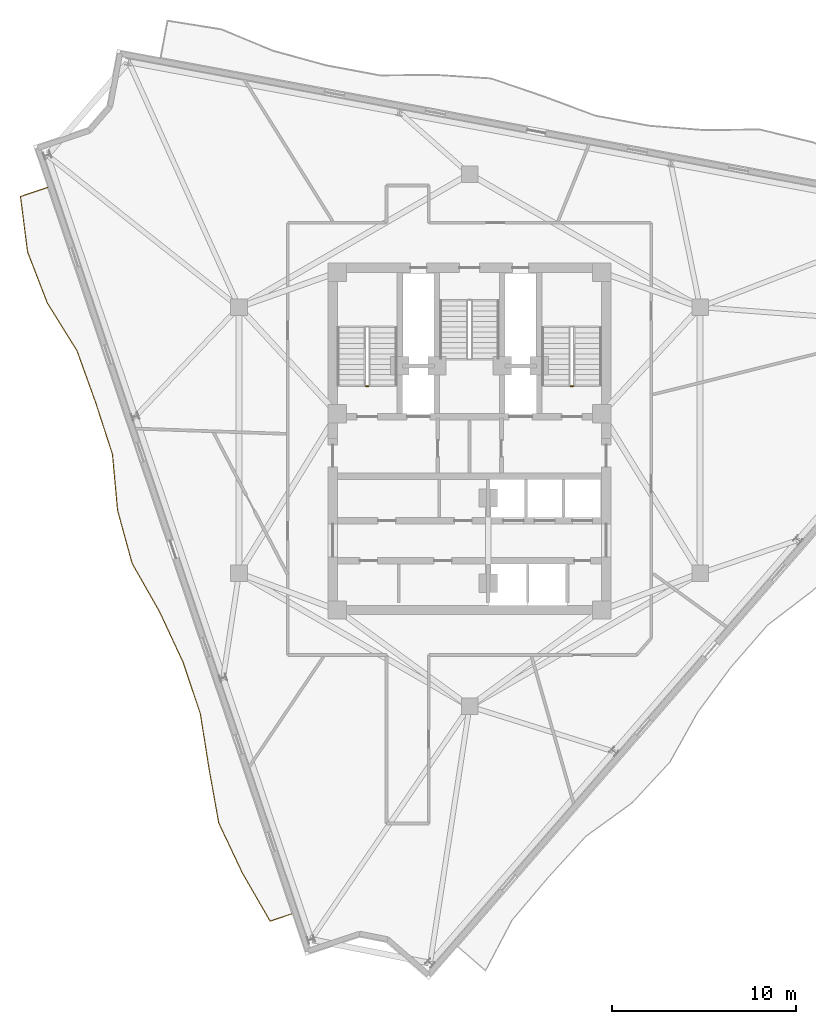
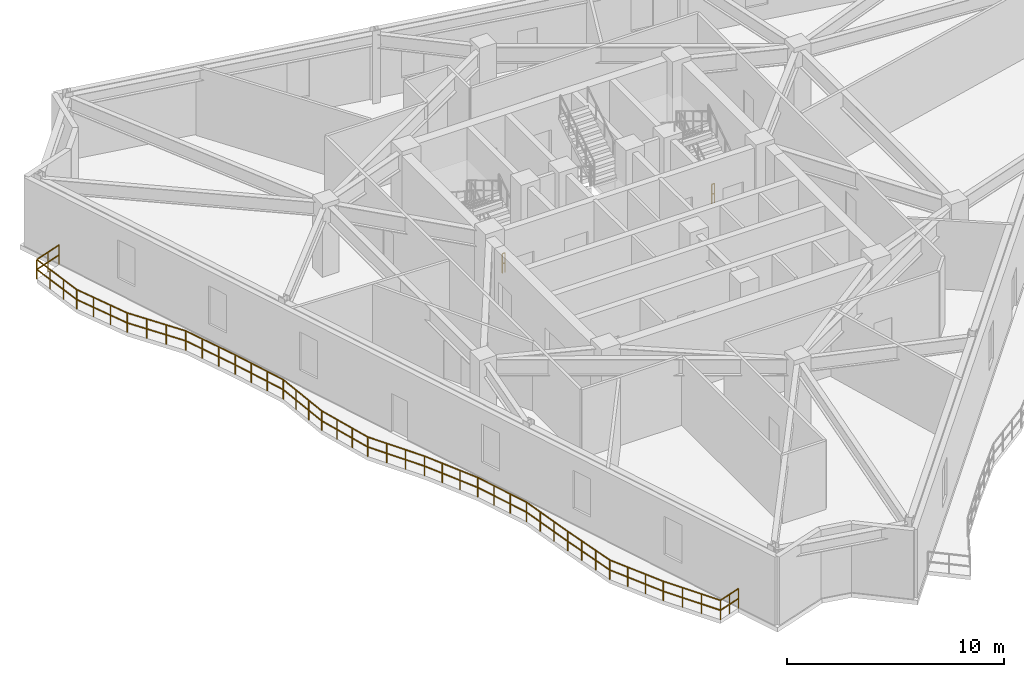
# One storey, part 7 of 9: 3 railings.
"""IFC4 building model written with IfcOpenShell, lengths in metres."""

from ifc_helpers import new_model, si_unit, direction, frame, origin, origin_2d, place, context, subcontext, project, spatial, rectangle, extrude, material, type_object, element, save


model = new_model("IFC4")

# Units and contexts
model_context = context("Model", 3, precision=1e-05, world=origin(), true_north=direction((0.0, 1.0)))
body_context = subcontext(model_context, "Body", "Model", "MODEL_VIEW")
ifc_project = project(units=[si_unit("LENGTHUNIT", "METRE"), si_unit("AREAUNIT", "SQUARE_METRE"), si_unit("VOLUMEUNIT", "CUBIC_METRE"), si_unit("PLANEANGLEUNIT", "RADIAN"), si_unit("MASSUNIT", "GRAM", prefix="KILO")], contexts=[model_context])

# Site, building, storey
site_placement = place(None, origin())
site = spatial("IfcSite", under=ifc_project, at=site_placement, CompositionType="ELEMENT")
building_placement = place(site_placement, origin())
building = spatial("IfcBuilding", under=site, at=building_placement, Name="Apsidion Concourse Tower", CompositionType="ELEMENT")
storey_placement = place(building_placement, frame((0.0, 0.0, 273.699951171875)))
storey = spatial("IfcBuildingStorey", under=building, at=storey_placement, Name="L64", CompositionType="ELEMENT", Elevation=273.699951171875)

# Railings
ifc_material = material(Name="Brushed stainless steel 316", Category="steel")
railing_type_1 = type_object("IfcRailingType", Name="RL-BAL-1120", PredefinedType="BALUSTRADE", material=ifc_material)
railing_placement = place(storey_placement, frame((-9.681396484375, -25.806884765625, 0.0)))
element("IfcRailing", 1, at=railing_placement, inside=storey, type_object=railing_type_1, Name="L64 Face 1 Rippling Balcony Balustrade", PredefinedType="BALUSTRADE", context=body_context, shape_type="SweptSolid", body=[
    extrude(rectangle(XDim=0.048095703125, YDim=0.048095703125, at=origin_2d()), frame((0.0, 0.0, 1.09619140625), z_axis=(-0.947840118805, -0.318746151636, 0.0), x_axis=(0.318746151636, -0.947840118805, 0.0)), (0.0, 0.0, 1.0), 1.25),
    extrude(rectangle(XDim=0.048095703125, YDim=0.048095703125, at=origin_2d()), frame((0.0, 0.0, 0.5361328125), z_axis=(-0.947840118805, -0.318746151636, 0.0), x_axis=(0.318746151636, -0.947840118805, 0.0)), (0.0, 0.0, 1.0), 1.25),
    extrude(rectangle(XDim=0.048095703125, YDim=0.048095703125, at=origin_2d()), frame((-1.184814453125, -0.3984375, 1.09619140625), z_axis=(-0.499479316425, 0.866325811958, 0.0), x_axis=(-0.866325811958, -0.499479316425, 0.0)), (0.0, 0.0, 1.0), 3.042724609375),
    extrude(rectangle(XDim=0.048095703125, YDim=0.048095703125, at=origin_2d()), frame((-1.184814453125, -0.3984375, 0.5361328125), z_axis=(-0.499479316425, 0.866325811958, 0.0), x_axis=(-0.866325811958, -0.499479316425, 0.0)), (0.0, 0.0, 1.0), 3.042724609375),
    extrude(rectangle(XDim=0.048095703125, YDim=0.048095703125, at=origin_2d()), frame((-2.70458984375, 2.237548828125, 1.09619140625), z_axis=(-0.426611147948, 0.904435143306, 0.0), x_axis=(-0.904435143306, -0.426611147948, 0.0)), (0.0, 0.0, 1.0), 3.00341796875),
    extrude(rectangle(XDim=0.048095703125, YDim=0.048095703125, at=origin_2d()), frame((-2.70458984375, 2.237548828125, 0.5361328125), z_axis=(-0.426611147948, 0.904435143306, 0.0), x_axis=(-0.904435143306, -0.426611147948, 0.0)), (0.0, 0.0, 1.0), 3.00341796875),
    extrude(rectangle(XDim=0.048095703125, YDim=0.048095703125, at=origin_2d()), frame((-3.98583984375, 4.953857421875, 1.09619140625), z_axis=(-0.175913919955, 0.984405552994, 0.0), x_axis=(-0.984405552994, -0.175913919955, 0.0)), (0.0, 0.0, 1.0), 3.015869140625),
    extrude(rectangle(XDim=0.048095703125, YDim=0.048095703125, at=origin_2d()), frame((-3.98583984375, 4.953857421875, 0.5361328125), z_axis=(-0.175913919955, 0.984405552994, 0.0), x_axis=(-0.984405552994, -0.175913919955, 0.0)), (0.0, 0.0, 1.0), 3.015869140625),
    extrude(rectangle(XDim=0.048095703125, YDim=0.048095703125, at=origin_2d()), frame((-4.516357421875, 7.922607421875, 1.09619140625), z_axis=(-0.156555134289, 0.987669220907, 0.0), x_axis=(-0.987669220907, -0.156555134289, 0.0)), (0.0, 0.0, 1.0), 3.025390625),
    extrude(rectangle(XDim=0.048095703125, YDim=0.048095703125, at=origin_2d()), frame((-4.516357421875, 7.922607421875, 0.5361328125), z_axis=(-0.156555134289, 0.987669220907, 0.0), x_axis=(-0.987669220907, -0.156555134289, 0.0)), (0.0, 0.0, 1.0), 3.025390625),
    extrude(rectangle(XDim=0.048095703125, YDim=0.048095703125, at=origin_2d()), frame((-4.989990234375, 10.91064453125, 1.09619140625), z_axis=(-0.318878393992, 0.947795637173, 0.0), x_axis=(-0.947795637173, -0.318878393992, 0.0)), (0.0, 0.0, 1.0), 2.98291015625),
    extrude(rectangle(XDim=0.048095703125, YDim=0.048095703125, at=origin_2d()), frame((-4.989990234375, 10.91064453125, 0.5361328125), z_axis=(-0.318878393992, 0.947795637173, 0.0), x_axis=(-0.947795637173, -0.318878393992, 0.0)), (0.0, 0.0, 1.0), 2.98291015625),
    extrude(rectangle(XDim=0.048095703125, YDim=0.048095703125, at=origin_2d()), frame((-5.941162109375, 13.73779296875, 1.09619140625), z_axis=(-0.422582686143, 0.90632437536, 0.0), x_axis=(-0.90632437536, -0.422582686143, 0.0)), (0.0, 0.0, 1.0), 3.001953125),
    extrude(rectangle(XDim=0.048095703125, YDim=0.048095703125, at=origin_2d()), frame((-5.941162109375, 13.73779296875, 0.5361328125), z_axis=(-0.422582686143, 0.90632437536, 0.0), x_axis=(-0.90632437536, -0.422582686143, 0.0)), (0.0, 0.0, 1.0), 3.001953125),
    extrude(rectangle(XDim=0.048095703125, YDim=0.048095703125, at=origin_2d()), frame((-7.209716796875, 16.45849609375, 1.09619140625), z_axis=(-0.493055147781, 0.869998058185, 0.0), x_axis=(-0.869998058185, -0.493055147781, 0.0)), (0.0, 0.0, 1.0), 3.038330078125),
    extrude(rectangle(XDim=0.048095703125, YDim=0.048095703125, at=origin_2d()), frame((-7.209716796875, 16.45849609375, 0.5361328125), z_axis=(-0.493055147781, 0.869998058185, 0.0), x_axis=(-0.869998058185, -0.493055147781, 0.0)), (0.0, 0.0, 1.0), 3.038330078125),
    extrude(rectangle(XDim=0.048095703125, YDim=0.048095703125, at=origin_2d()), frame((-8.707763671875, 19.101806640625, 1.09619140625), z_axis=(-0.264237229305, 0.964457716362, 0.0), x_axis=(-0.964457716362, -0.264237229305, 0.0)), (0.0, 0.0, 1.0), 2.988037109375),
    extrude(rectangle(XDim=0.048095703125, YDim=0.048095703125, at=origin_2d()), frame((-8.707763671875, 19.101806640625, 0.5361328125), z_axis=(-0.264237229305, 0.964457716362, 0.0), x_axis=(-0.964457716362, -0.264237229305, 0.0)), (0.0, 0.0, 1.0), 2.988037109375),
    extrude(rectangle(XDim=0.048095703125, YDim=0.048095703125, at=origin_2d()), frame((-9.497314453125, 21.983642578125, 1.09619140625), z_axis=(-0.090930595594, 0.99585723213, 0.0), x_axis=(-0.99585723213, -0.090930595594, 0.0)), (0.0, 0.0, 1.0), 3.066162109375),
    extrude(rectangle(XDim=0.048095703125, YDim=0.048095703125, at=origin_2d()), frame((-9.497314453125, 21.983642578125, 0.5361328125), z_axis=(-0.090930595594, 0.99585723213, 0.0), x_axis=(-0.99585723213, -0.090930595594, 0.0)), (0.0, 0.0, 1.0), 3.066162109375),
    extrude(rectangle(XDim=0.048095703125, YDim=0.048095703125, at=origin_2d()), frame((-9.776123046875, 25.037109375, 1.09619140625), z_axis=(-0.308876945525, 0.951102009525, 0.0), x_axis=(-0.951102009525, -0.308876945525, 0.0)), (0.0, 0.0, 1.0), 2.98291015625),
    extrude(rectangle(XDim=0.048095703125, YDim=0.048095703125, at=origin_2d()), frame((-9.776123046875, 25.037109375, 0.5361328125), z_axis=(-0.308876945525, 0.951102009525, 0.0), x_axis=(-0.951102009525, -0.308876945525, 0.0)), (0.0, 0.0, 1.0), 2.98291015625),
    extrude(rectangle(XDim=0.048095703125, YDim=0.048095703125, at=origin_2d()), frame((-10.697509765625, 27.874267578125, 1.09619140625), z_axis=(-0.338988910976, 0.940790368911, 0.0), x_axis=(-0.940790368911, -0.338988910976, 0.0)), (0.0, 0.0, 1.0), 2.98388671875),
    extrude(rectangle(XDim=0.048095703125, YDim=0.048095703125, at=origin_2d()), frame((-10.697509765625, 27.874267578125, 0.5361328125), z_axis=(-0.338988910976, 0.940790368911, 0.0), x_axis=(-0.940790368911, -0.338988910976, 0.0)), (0.0, 0.0, 1.0), 2.98388671875),
    extrude(rectangle(XDim=0.048095703125, YDim=0.048095703125, at=origin_2d()), frame((-11.708984375, 30.681396484375, 1.09619140625), z_axis=(-0.527626588289, 0.849476417171, 0.0), x_axis=(-0.849476417171, -0.527626588289, 0.0)), (0.0, 0.0, 1.0), 3.064453125),
    extrude(rectangle(XDim=0.048095703125, YDim=0.048095703125, at=origin_2d()), frame((-11.708984375, 30.681396484375, 0.5361328125), z_axis=(-0.527626588289, 0.849476417171, 0.0), x_axis=(-0.849476417171, -0.527626588289, 0.0)), (0.0, 0.0, 1.0), 3.064453125),
    extrude(rectangle(XDim=0.048095703125, YDim=0.048095703125, at=origin_2d()), frame((-13.325927734375, 33.28466796875, 1.09619140625), z_axis=(-0.360808303385, 0.932639999254, 0.0), x_axis=(-0.932639999254, -0.360808303385, 0.0)), (0.0, 0.0, 1.0), 2.986083984375),
    extrude(rectangle(XDim=0.048095703125, YDim=0.048095703125, at=origin_2d()), frame((-13.325927734375, 33.28466796875, 0.5361328125), z_axis=(-0.360808303385, 0.932639999254, 0.0), x_axis=(-0.932639999254, -0.360808303385, 0.0)), (0.0, 0.0, 1.0), 2.986083984375),
    extrude(rectangle(XDim=0.048095703125, YDim=0.048095703125, at=origin_2d()), frame((-14.4033203125, 36.069580078125, 1.09619140625), z_axis=(-0.126137990188, 0.992012705277, 0.0), x_axis=(-0.992012705277, -0.126137990188, 0.0)), (0.0, 0.0, 1.0), 3.042724609375),
    extrude(rectangle(XDim=0.048095703125, YDim=0.048095703125, at=origin_2d()), frame((-14.4033203125, 36.069580078125, 0.5361328125), z_axis=(-0.126137990188, 0.992012705277, 0.0), x_axis=(-0.992012705277, -0.126137990188, 0.0)), (0.0, 0.0, 1.0), 3.042724609375),
    extrude(rectangle(XDim=0.048095703125, YDim=0.048095703125, at=origin_2d()), frame((-14.787109375, 39.087890625, 1.09619140625), z_axis=(0.947765753937, 0.318967201549, 0.0), x_axis=(-0.318967201549, 0.947765753937, 0.0)), (0.0, 0.0, 1.0), 1.550048828125),
    extrude(rectangle(XDim=0.048095703125, YDim=0.048095703125, at=origin_2d()), frame((-14.787109375, 39.087890625, 0.5361328125), z_axis=(0.947765753937, 0.318967201549, 0.0), x_axis=(-0.318967201549, 0.947765753937, 0.0)), (0.0, 0.0, 1.0), 1.550048828125),
    extrude(rectangle(XDim=0.0419921875, YDim=0.0419921875, at=origin_2d()), origin(), (0.0, 0.0, 1.0), 1.072021484375),
    extrude(rectangle(XDim=0.0419921875, YDim=0.0419921875, at=origin_2d()), frame((-0.59228515625, -0.19921875, 0.0)), (0.0, 0.0, 1.0), 1.072021484375),
    extrude(rectangle(XDim=0.0419921875, YDim=0.0419921875, at=origin_2d()), frame((-1.184814453125, -0.3984375, 0.0)), (0.0, 0.0, 1.0), 1.072021484375),
    extrude(rectangle(XDim=0.0419921875, YDim=0.0419921875, at=origin_2d()), frame((-1.69140625, 0.480224609375, 0.0)), (0.0, 0.0, 1.0), 1.072021484375),
    extrude(rectangle(XDim=0.0419921875, YDim=0.0419921875, at=origin_2d()), frame((-2.197998046875, 1.35888671875, 0.0)), (0.0, 0.0, 1.0), 1.072021484375),
    extrude(rectangle(XDim=0.0419921875, YDim=0.0419921875, at=origin_2d()), frame((-2.70458984375, 2.237548828125, 0.0)), (0.0, 0.0, 1.0), 1.072021484375),
    extrude(rectangle(XDim=0.0419921875, YDim=0.0419921875, at=origin_2d()), frame((-3.131591796875, 3.14306640625, 0.0)), (0.0, 0.0, 1.0), 1.072021484375),
    extrude(rectangle(XDim=0.0419921875, YDim=0.0419921875, at=origin_2d()), frame((-3.558837890625, 4.04833984375, 0.0)), (0.0, 0.0, 1.0), 1.072021484375),
    extrude(rectangle(XDim=0.0419921875, YDim=0.0419921875, at=origin_2d()), frame((-3.98583984375, 4.953857421875, 0.0)), (0.0, 0.0, 1.0), 1.072021484375),
    extrude(rectangle(XDim=0.0419921875, YDim=0.0419921875, at=origin_2d()), frame((-4.16259765625, 5.943359375, 0.0)), (0.0, 0.0, 1.0), 1.072021484375),
    extrude(rectangle(XDim=0.0419921875, YDim=0.0419921875, at=origin_2d()), frame((-4.339599609375, 6.93310546875, 0.0)), (0.0, 0.0, 1.0), 1.072021484375),
    extrude(rectangle(XDim=0.0419921875, YDim=0.0419921875, at=origin_2d()), frame((-4.516357421875, 7.922607421875, 0.0)), (0.0, 0.0, 1.0), 1.072021484375),
    extrude(rectangle(XDim=0.0419921875, YDim=0.0419921875, at=origin_2d()), frame((-4.67431640625, 8.918701171875, 0.0)), (0.0, 0.0, 1.0), 1.072021484375),
    extrude(rectangle(XDim=0.0419921875, YDim=0.0419921875, at=origin_2d()), frame((-4.83203125, 9.91455078125, 0.0)), (0.0, 0.0, 1.0), 1.072021484375),
    extrude(rectangle(XDim=0.0419921875, YDim=0.0419921875, at=origin_2d()), frame((-4.989990234375, 10.91064453125, 0.0)), (0.0, 0.0, 1.0), 1.072021484375),
    extrude(rectangle(XDim=0.0419921875, YDim=0.0419921875, at=origin_2d()), frame((-5.30712890625, 11.85302734375, 0.0)), (0.0, 0.0, 1.0), 1.072021484375),
    extrude(rectangle(XDim=0.0419921875, YDim=0.0419921875, at=origin_2d()), frame((-5.6240234375, 12.79541015625, 0.0)), (0.0, 0.0, 1.0), 1.072021484375),
    extrude(rectangle(XDim=0.0419921875, YDim=0.0419921875, at=origin_2d()), frame((-5.941162109375, 13.73779296875, 0.0)), (0.0, 0.0, 1.0), 1.072021484375),
    extrude(rectangle(XDim=0.0419921875, YDim=0.0419921875, at=origin_2d()), frame((-6.364013671875, 14.644775390625, 0.0)), (0.0, 0.0, 1.0), 1.072021484375),
    extrude(rectangle(XDim=0.0419921875, YDim=0.0419921875, at=origin_2d()), frame((-6.786865234375, 15.551513671875, 0.0)), (0.0, 0.0, 1.0), 1.072021484375),
    extrude(rectangle(XDim=0.0419921875, YDim=0.0419921875, at=origin_2d()), frame((-7.209716796875, 16.45849609375, 0.0)), (0.0, 0.0, 1.0), 1.072021484375),
    extrude(rectangle(XDim=0.0419921875, YDim=0.0419921875, at=origin_2d()), frame((-7.708984375, 17.339599609375, 0.0)), (0.0, 0.0, 1.0), 1.072021484375),
    extrude(rectangle(XDim=0.0419921875, YDim=0.0419921875, at=origin_2d()), frame((-8.20849609375, 18.220703125, 0.0)), (0.0, 0.0, 1.0), 1.072021484375),
    extrude(rectangle(XDim=0.0419921875, YDim=0.0419921875, at=origin_2d()), frame((-8.707763671875, 19.101806640625, 0.0)), (0.0, 0.0, 1.0), 1.072021484375),
    extrude(rectangle(XDim=0.0419921875, YDim=0.0419921875, at=origin_2d()), frame((-8.970947265625, 20.0625, 0.0)), (0.0, 0.0, 1.0), 1.072021484375),
    extrude(rectangle(XDim=0.0419921875, YDim=0.0419921875, at=origin_2d()), frame((-9.234130859375, 21.02294921875, 0.0)), (0.0, 0.0, 1.0), 1.072021484375),
    extrude(rectangle(XDim=0.0419921875, YDim=0.0419921875, at=origin_2d()), frame((-9.497314453125, 21.983642578125, 0.0)), (0.0, 0.0, 1.0), 1.072021484375),
    extrude(rectangle(XDim=0.0419921875, YDim=0.0419921875, at=origin_2d()), frame((-9.59033203125, 23.00146484375, 0.0)), (0.0, 0.0, 1.0), 1.072021484375),
    extrude(rectangle(XDim=0.0419921875, YDim=0.0419921875, at=origin_2d()), frame((-9.68310546875, 24.019287109375, 0.0)), (0.0, 0.0, 1.0), 1.072021484375),
    extrude(rectangle(XDim=0.0419921875, YDim=0.0419921875, at=origin_2d()), frame((-9.776123046875, 25.037109375, 0.0)), (0.0, 0.0, 1.0), 1.072021484375),
    extrude(rectangle(XDim=0.0419921875, YDim=0.0419921875, at=origin_2d()), frame((-10.083251953125, 25.98291015625, 0.0)), (0.0, 0.0, 1.0), 1.072021484375),
    extrude(rectangle(XDim=0.0419921875, YDim=0.0419921875, at=origin_2d()), frame((-10.390380859375, 26.928466796875, 0.0)), (0.0, 0.0, 1.0), 1.072021484375),
    extrude(rectangle(XDim=0.0419921875, YDim=0.0419921875, at=origin_2d()), frame((-10.697509765625, 27.874267578125, 0.0)), (0.0, 0.0, 1.0), 1.072021484375),
    extrude(rectangle(XDim=0.0419921875, YDim=0.0419921875, at=origin_2d()), frame((-11.03466796875, 28.81005859375, 0.0)), (0.0, 0.0, 1.0), 1.072021484375),
    extrude(rectangle(XDim=0.0419921875, YDim=0.0419921875, at=origin_2d()), frame((-11.371826171875, 29.74560546875, 0.0)), (0.0, 0.0, 1.0), 1.072021484375),
    extrude(rectangle(XDim=0.0419921875, YDim=0.0419921875, at=origin_2d()), frame((-11.708984375, 30.681396484375, 0.0)), (0.0, 0.0, 1.0), 1.072021484375),
    extrude(rectangle(XDim=0.0419921875, YDim=0.0419921875, at=origin_2d()), frame((-12.248046875, 31.549072265625, 0.0)), (0.0, 0.0, 1.0), 1.072021484375),
    extrude(rectangle(XDim=0.0419921875, YDim=0.0419921875, at=origin_2d()), frame((-12.786865234375, 32.4169921875, 0.0)), (0.0, 0.0, 1.0), 1.072021484375),
    extrude(rectangle(XDim=0.0419921875, YDim=0.0419921875, at=origin_2d()), frame((-13.325927734375, 33.28466796875, 0.0)), (0.0, 0.0, 1.0), 1.072021484375),
    extrude(rectangle(XDim=0.0419921875, YDim=0.0419921875, at=origin_2d()), frame((-13.68505859375, 34.212890625, 0.0)), (0.0, 0.0, 1.0), 1.072021484375),
    extrude(rectangle(XDim=0.0419921875, YDim=0.0419921875, at=origin_2d()), frame((-14.044189453125, 35.141357421875, 0.0)), (0.0, 0.0, 1.0), 1.072021484375),
    extrude(rectangle(XDim=0.0419921875, YDim=0.0419921875, at=origin_2d()), frame((-14.4033203125, 36.069580078125, 0.0)), (0.0, 0.0, 1.0), 1.072021484375),
    extrude(rectangle(XDim=0.0419921875, YDim=0.0419921875, at=origin_2d()), frame((-14.53125, 37.07568359375, 0.0)), (0.0, 0.0, 1.0), 1.072021484375),
    extrude(rectangle(XDim=0.0419921875, YDim=0.0419921875, at=origin_2d()), frame((-14.6591796875, 38.081787109375, 0.0)), (0.0, 0.0, 1.0), 1.072021484375),
    extrude(rectangle(XDim=0.0419921875, YDim=0.0419921875, at=origin_2d()), frame((-14.787109375, 39.087890625, 0.0)), (0.0, 0.0, 1.0), 1.072021484375),
    extrude(rectangle(XDim=0.0419921875, YDim=0.0419921875, at=origin_2d()), frame((-14.052734375, 39.3349609375, 0.0)), (0.0, 0.0, 1.0), 1.072021484375),
    extrude(rectangle(XDim=0.0419921875, YDim=0.0419921875, at=origin_2d()), frame((-13.318115234375, 39.582275390625, 0.0)), (0.0, 0.0, 1.0), 1.072021484375),
])
railing_type_2 = type_object("IfcRailingType", Name="RL-GUARD-1100", PredefinedType="GUARDRAIL", material=ifc_material)
for number, where, name in (
    (2, (-5.5, 2.949951171875, 0.0), "L64 ST1 stair guard 4"),
    (3, (5.64990234375, 2.949951171875, 0.0), "L64 ST2 stair guard 4"),
):
    element("IfcRailing", number, at=place(storey_placement, frame(where)), inside=storey, type_object=railing_type_2, Name=name, PredefinedType="GUARDRAIL", context=body_context, shape_type="SweptSolid", body=[
        extrude(rectangle(XDim=0.048095703125, YDim=0.048095703125, at=origin_2d()), frame((0.0, 0.0, 1.09619140625), z_axis=(-1.0, 0.0, 0.0), x_axis=(0.0, -1.0, 0.0)), (0.0, 0.0, 1.0), 0.14990234375),
        extrude(rectangle(XDim=0.048095703125, YDim=0.048095703125, at=origin_2d()), frame((0.0, 0.0, 0.5361328125), z_axis=(-1.0, 0.0, 0.0), x_axis=(0.0, -1.0, 0.0)), (0.0, 0.0, 1.0), 0.14990234375),
        extrude(rectangle(XDim=0.0419921875, YDim=0.0419921875, at=origin_2d()), origin(), (0.0, 0.0, 1.0), 1.072021484375),
        extrude(rectangle(XDim=0.0419921875, YDim=0.0419921875, at=origin_2d()), frame((-0.14990234375, 0.0, 0.0)), (0.0, 0.0, 1.0), 1.072021484375),
    ])

save(model, "model.ifc")
